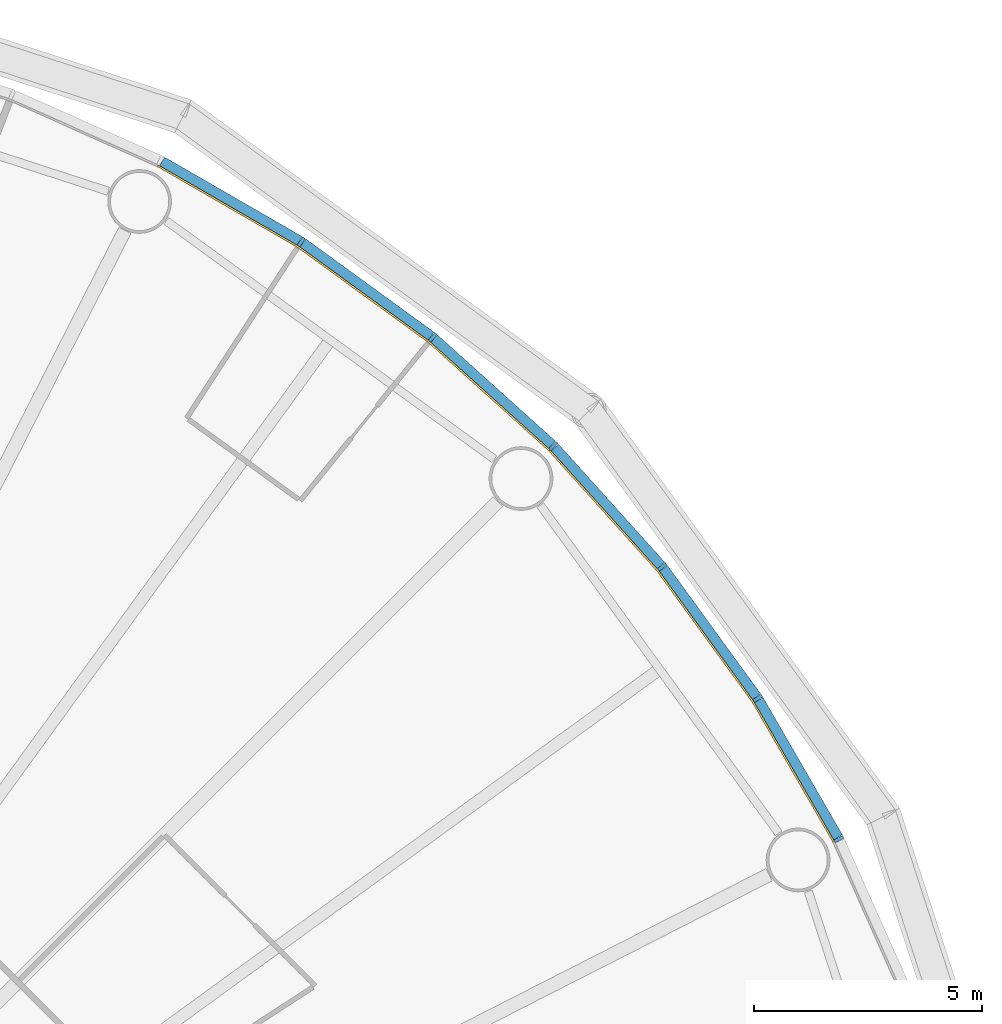
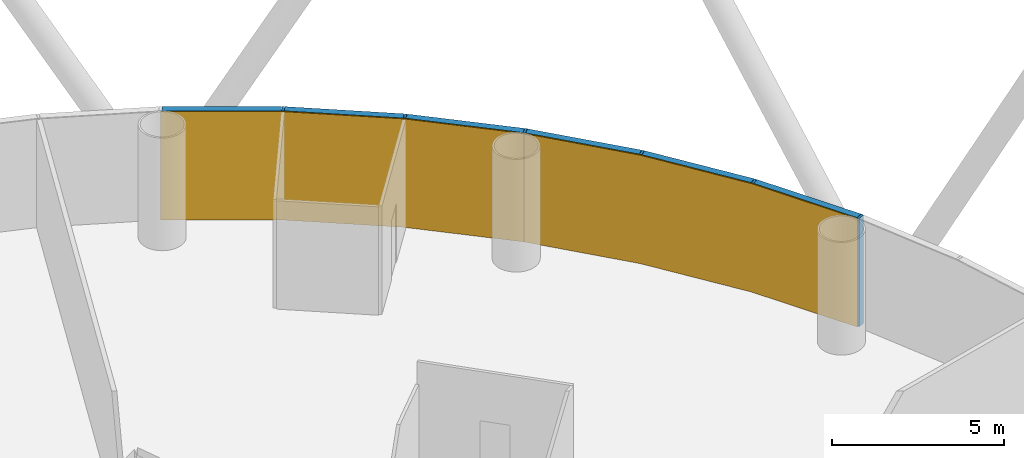
# One storey, part 10 of 13: 12 members, 2 curtain walls.
"""IFC4 building model written with IfcOpenShell, lengths in metres."""

from ifc_helpers import new_model, si_unit, direction, frame, origin, origin_2d, place, context, subcontext, project, spatial, polyline, rectangle, outline, extrude, material, layer, layer_set, material_profile, profile_set, type_object, element, aggregate, save


model = new_model("IFC4")

# Units and contexts
model_context = context("Model", 3, precision=1e-05, world=origin(), true_north=direction((0.0, 1.0)))
body_context = subcontext(model_context, "Body", "Model", "MODEL_VIEW")
ifc_project = project(units=[si_unit("LENGTHUNIT", "METRE"), si_unit("AREAUNIT", "SQUARE_METRE"), si_unit("VOLUMEUNIT", "CUBIC_METRE"), si_unit("PLANEANGLEUNIT", "RADIAN"), si_unit("MASSUNIT", "GRAM", prefix="KILO")], contexts=[model_context])

# Member
ifc_material_1 = material(Name="Anodised aluminium", Category="aluminium")
ifc_material_profile_1 = material_profile(ifc_material_1, rectangle(XDim=0.074951171875, YDim=0.219970703125, at=origin_2d()), Name="Mullion 75 x 220 mm anodised aluminium")
ifc_profile_set_1 = profile_set([ifc_material_profile_1], Name="Anodised aluminium")
member_type_1 = type_object("IfcMemberType", Name="Mullion 75 x 220 mm anodised aluminium", PredefinedType="MULLION", material=ifc_profile_set_1)
site_placement = place(None, origin())
building_placement = place(site_placement, origin())
storey_placement = place(building_placement, frame((0.0, 0.0, 18.0)))
member_1_placement = place(storey_placement, frame((120.392333984375, 95.485595703125, 0.0), z_axis=(0.0, 0.0, 1.0), x_axis=(-0.45399049974, 0.891006524188, 0.0)))
member_1 = element("IfcMember", 1, at=member_1_placement, type_object=member_type_1, Name="MULLION L02-03", PredefinedType="MULLION", context=body_context, shape_type="SweptSolid", body=[
    extrude(rectangle(XDim=0.074951171875, YDim=0.219970703125, at=origin_2d()), origin(), (0.0, 0.0, 1.0), 3.85009765625),
])

member_2_placement = place(storey_placement, frame((118.60693359375, 98.57763671875, 0.0), z_axis=(0.0, 0.0, 1.0), x_axis=(-0.544639035015, 0.838670567945, 0.0)))
member_2 = element("IfcMember", 2, at=member_2_placement, type_object=member_type_1, Name="MULLION L02-04", PredefinedType="MULLION", context=body_context, shape_type="SweptSolid", body=[
    extrude(rectangle(XDim=0.074951171875, YDim=0.219970703125, at=origin_2d()), origin(), (0.0, 0.0, 1.0), 3.85009765625),
])

member_3_placement = place(storey_placement, frame((116.508544921875, 101.466064453125, 0.0), z_axis=(0.0, 0.0, 1.0), x_axis=(-0.62932039105, 0.777145961457, 0.0)))
member_3 = element("IfcMember", 3, at=member_3_placement, type_object=member_type_1, Name="MULLION L02-05", PredefinedType="MULLION", context=body_context, shape_type="SweptSolid", body=[
    extrude(rectangle(XDim=0.074951171875, YDim=0.219970703125, at=origin_2d()), origin(), (0.0, 0.0, 1.0), 3.85009765625),
])

member_4_placement = place(storey_placement, frame((114.119384765625, 104.119384765625, 0.0), z_axis=(0.0, 0.0, 1.0), x_axis=(-0.707106781187, 0.707106781187, 0.0)))
member_4 = element("IfcMember", 4, at=member_4_placement, type_object=member_type_1, Name="MULLION L02-06", PredefinedType="MULLION", context=body_context, shape_type="SweptSolid", body=[
    extrude(rectangle(XDim=0.074951171875, YDim=0.219970703125, at=origin_2d()), origin(), (0.0, 0.0, 1.0), 3.85009765625),
])

member_5_placement = place(storey_placement, frame((111.466064453125, 106.508544921875, 0.0), z_axis=(0.0, 0.0, 1.0), x_axis=(-0.777145961457, 0.62932039105, 0.0)))
member_5 = element("IfcMember", 5, at=member_5_placement, type_object=member_type_1, Name="MULLION L02-07", PredefinedType="MULLION", context=body_context, shape_type="SweptSolid", body=[
    extrude(rectangle(XDim=0.074951171875, YDim=0.219970703125, at=origin_2d()), origin(), (0.0, 0.0, 1.0), 3.85009765625),
])

member_6_placement = place(storey_placement, frame((108.57763671875, 108.60693359375, 0.0), z_axis=(0.0, 0.0, 1.0), x_axis=(-0.838670567945, 0.544639035015, 0.0)))
member_6 = element("IfcMember", 6, at=member_6_placement, type_object=member_type_1, Name="MULLION L02-08", PredefinedType="MULLION", context=body_context, shape_type="SweptSolid", body=[
    extrude(rectangle(XDim=0.074951171875, YDim=0.219970703125, at=origin_2d()), origin(), (0.0, 0.0, 1.0), 3.85009765625),
])

ifc_material_2 = material(Name="Anodised aluminium", Category="aluminium")
ifc_material_profile_2 = material_profile(ifc_material_2, rectangle(XDim=0.219970703125, YDim=0.199951171875, at=origin_2d()), Name="Transom 200 x 220 mm anodised aluminium")
ifc_profile_set_2 = profile_set([ifc_material_profile_2], Name="Anodised aluminium")
member_type_2 = type_object("IfcMemberType", Name="Transom 200 x 220 mm anodised aluminium", PredefinedType="USERDEFINED", material=ifc_profile_set_2)
member_7_placement = place(storey_placement, frame((120.370849609375, 95.523193359375, 3.75), z_axis=(-0.500005538244, 0.866022206254, 0.0), x_axis=(-0.866022206254, -0.500005538244, 0.0)))
member_7 = element("IfcMember", 7, at=member_7_placement, type_object=member_type_2, Name="TRANSOM L02-03", ObjectType="TRANSOM", PredefinedType="USERDEFINED", context=body_context, shape_type="SweptSolid", body=[
    extrude(rectangle(XDim=0.219970703125, YDim=0.199951171875, at=origin_2d()), origin(), (0.0, 0.0, 1.0), 3.48388671875),
])

member_8_placement = place(storey_placement, frame((118.581787109375, 98.61279296875, 3.75), z_axis=(-0.587821627006, 0.80899056535, 0.0), x_axis=(-0.80899056535, -0.587821627006, 0.0)))
member_8 = element("IfcMember", 8, at=member_8_placement, type_object=member_type_2, Name="TRANSOM L02-04", ObjectType="TRANSOM", PredefinedType="USERDEFINED", context=body_context, shape_type="SweptSolid", body=[
    extrude(rectangle(XDim=0.219970703125, YDim=0.199951171875, at=origin_2d()), origin(), (0.0, 0.0, 1.0), 3.48388671875),
])

member_9_placement = place(storey_placement, frame((116.479736328125, 101.498291015625, 3.75), z_axis=(-0.669138930974, 0.743137329876, 0.0), x_axis=(-0.743137329876, -0.669138930974, 0.0)))
member_9 = element("IfcMember", 9, at=member_9_placement, type_object=member_type_2, Name="TRANSOM L02-05", ObjectType="TRANSOM", PredefinedType="USERDEFINED", context=body_context, shape_type="SweptSolid", body=[
    extrude(rectangle(XDim=0.219970703125, YDim=0.199951171875, at=origin_2d()), origin(), (0.0, 0.0, 1.0), 3.484130859375),
])

member_10_placement = place(storey_placement, frame((114.08740234375, 104.1484375, 3.75), z_axis=(-0.743137329876, 0.669138930974, 0.0), x_axis=(-0.669138930974, -0.743137329876, 0.0)))
member_10 = element("IfcMember", 10, at=member_10_placement, type_object=member_type_2, Name="TRANSOM L02-06", ObjectType="TRANSOM", PredefinedType="USERDEFINED", context=body_context, shape_type="SweptSolid", body=[
    extrude(rectangle(XDim=0.219970703125, YDim=0.199951171875, at=origin_2d()), origin(), (0.0, 0.0, 1.0), 3.484130859375),
])

member_11_placement = place(storey_placement, frame((111.43115234375, 106.533935546875, 3.75), z_axis=(-0.80899056535, 0.587821627006, 0.0), x_axis=(-0.587821627006, -0.80899056535, 0.0)))
member_11 = element("IfcMember", 11, at=member_11_placement, type_object=member_type_2, Name="TRANSOM L02-07", ObjectType="TRANSOM", PredefinedType="USERDEFINED", context=body_context, shape_type="SweptSolid", body=[
    extrude(rectangle(XDim=0.219970703125, YDim=0.199951171875, at=origin_2d()), origin(), (0.0, 0.0, 1.0), 3.48388671875),
])

member_12_placement = place(storey_placement, frame((108.540283203125, 108.62890625, 3.75), z_axis=(-0.866022206254, 0.500005538244, 0.0), x_axis=(-0.500005538244, -0.866022206254, 0.0)))
member_12 = element("IfcMember", 12, at=member_12_placement, type_object=member_type_2, Name="TRANSOM L02-08", ObjectType="TRANSOM", PredefinedType="USERDEFINED", context=body_context, shape_type="SweptSolid", body=[
    extrude(rectangle(XDim=0.219970703125, YDim=0.199951171875, at=origin_2d()), origin(), (0.0, 0.0, 1.0), 3.48388671875),
])

# Site, building, storey
site = spatial("IfcSite", under=ifc_project, at=site_placement, CompositionType="ELEMENT")
building = spatial("IfcBuilding", under=site, at=building_placement, Name="Entoto Ring Tower", CompositionType="ELEMENT")
storey = spatial("IfcBuildingStorey", under=building, at=storey_placement, Name="L02", CompositionType="ELEMENT", Elevation=18.0)

# Curtain wall
ifc_material_3 = material(Name="Clear low-iron glass", Category="glass")
ifc_layer = layer(ifc_material_3, 0.0400390625)
ifc_layer_set = layer_set([ifc_layer], Name="Clear low-iron glass")
curtain_wall_type = type_object("IfcCurtainWallType", Name="Curtain wall system CW1 glazing 40 mm", PredefinedType="NOTDEFINED", material=ifc_layer_set)
curtain_wall_1_placement = place(storey_placement, origin())
curtain_wall_1 = element("IfcCurtainWall", 13, at=curtain_wall_1_placement, inside=storey, type_object=curtain_wall_type, Name="CW1 L02-02", PredefinedType="NOTDEFINED", context=body_context, shape_type="SweptSolid", body=[
    extrude(outline(polyline([(120.294189453125, 95.435791015625), (118.514892578125, 98.517822265625), (116.4228515625, 101.39697265625), (114.041748046875, 104.041748046875), (114.013427734375, 104.013427734375), (116.391845703125, 101.37158203125), (118.481201171875, 98.495849609375), (120.258544921875, 95.41748046875), (120.294189453125, 95.435791015625)])), origin(), (0.0, 0.0, 1.0), 3.85009765625),
])

aggregate(curtain_wall_1, [member_1, member_2, member_3, member_7, member_8, member_9])

curtain_wall_2_placement = place(storey_placement, origin())
curtain_wall_2 = element("IfcCurtainWall", 14, at=curtain_wall_2_placement, inside=storey, type_object=curtain_wall_type, Name="CW1 L02-03", PredefinedType="NOTDEFINED", context=body_context, shape_type="SweptSolid", body=[
    extrude(outline(polyline([(114.041748046875, 104.041748046875), (111.39697265625, 106.4228515625), (108.517822265625, 108.514892578125), (105.435791015625, 110.294189453125), (105.41748046875, 110.258544921875), (108.495849609375, 108.481201171875), (111.37158203125, 106.391845703125), (114.013427734375, 104.013427734375), (114.041748046875, 104.041748046875)])), origin(), (0.0, 0.0, 1.0), 3.85009765625),
])

aggregate(curtain_wall_2, [member_4, member_5, member_6, member_10, member_11, member_12])

save(model, "model.ifc")
